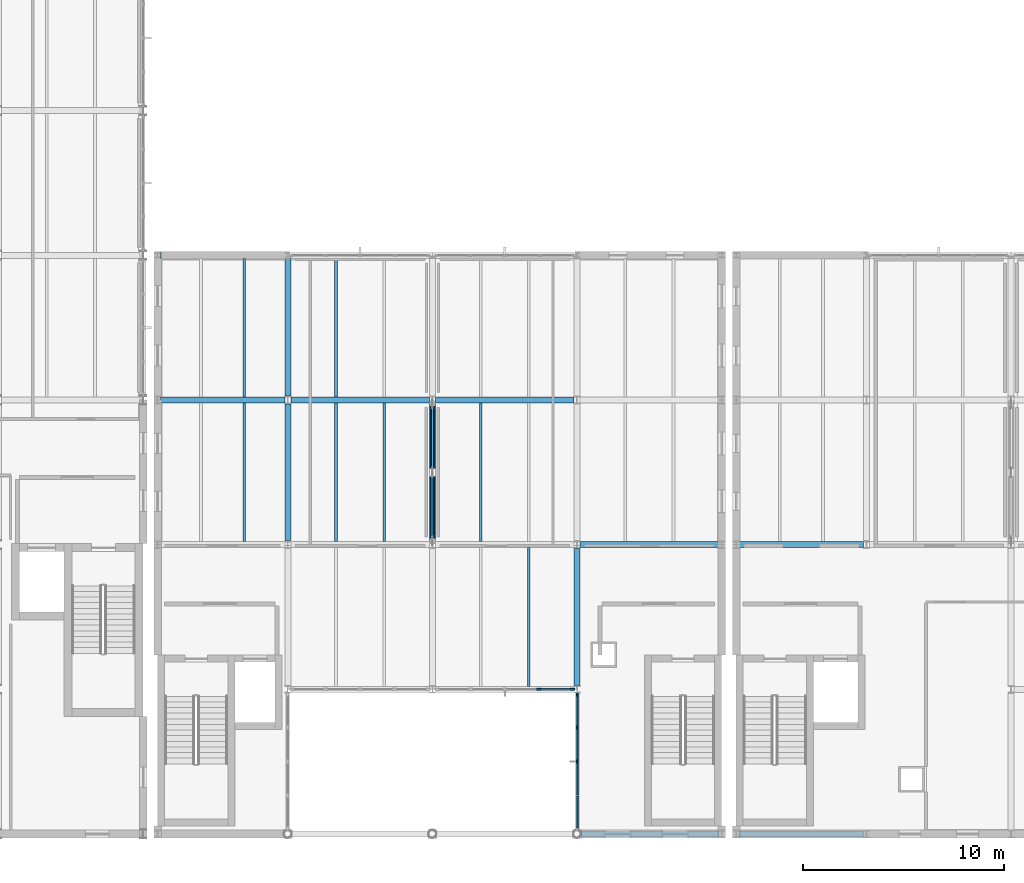
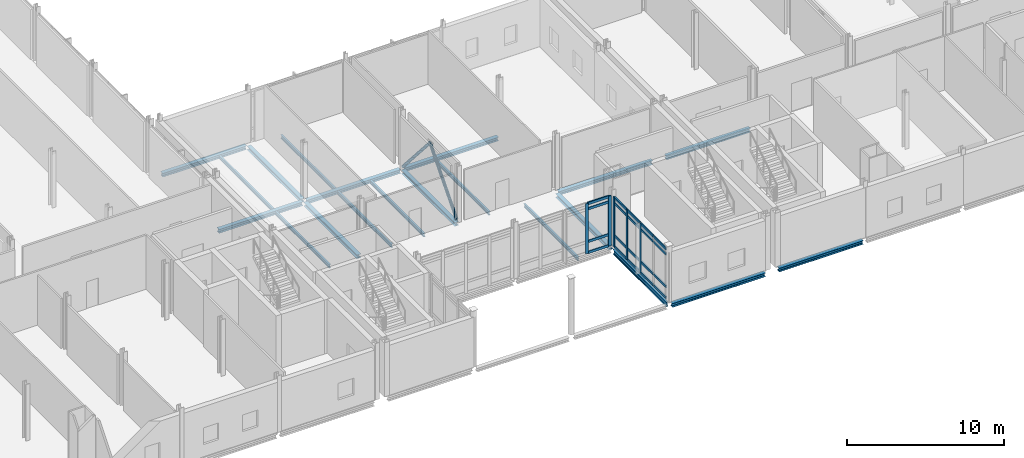
# One storey, part 16 of 72: 27 members, 20 beams, 2 elements without a shape of their own.
"""IFC4 building model written with IfcOpenShell, lengths in metres."""

from ifc_helpers import new_model, si_unit, direction, frame, origin, origin_2d, place, context, subcontext, project, spatial, rectangle, hollow_circle, i_section, extrude, material, layer, layer_set, material_profile, profile_set, type_object, element, aggregate, save


model = new_model("IFC4")

# Units and contexts
model_context = context("Model", 3, precision=1e-05, world=origin(), true_north=direction((0.0, 1.0)))
body_context = subcontext(model_context, "Body", "Model", "MODEL_VIEW")
ifc_project = project(units=[si_unit("LENGTHUNIT", "METRE"), si_unit("AREAUNIT", "SQUARE_METRE"), si_unit("VOLUMEUNIT", "CUBIC_METRE"), si_unit("PLANEANGLEUNIT", "RADIAN"), si_unit("MASSUNIT", "GRAM", prefix="KILO")], contexts=[model_context])

# Site, building, storey
site_placement = place(None, origin())
site = spatial("IfcSite", under=ifc_project, at=site_placement, CompositionType="ELEMENT")
building_placement = place(site_placement, origin())
building = spatial("IfcBuilding", under=site, at=building_placement, Name="Zarrinpeak Specialist Clinic", CompositionType="ELEMENT")
storey_placement = place(building_placement, frame((0.0, 0.0, 9.60009765625)))
storey = spatial("IfcBuildingStorey", under=building, at=storey_placement, Name="L02", CompositionType="ELEMENT", Elevation=9.60009765625)

# Beams
ifc_material_1 = material(Name="Steel S355", Category="steel")
ifc_material_profile_1 = material_profile(ifc_material_1, i_section(OverallWidth=0.300048828125, OverallDepth=0.2900390625, WebThickness=0.008544921875, FlangeThickness=0.013916015625, FilletRadius=0.027099609375, at=origin_2d()), Name="HEA 300")
ifc_profile_set_1 = profile_set([ifc_material_profile_1], Name="Steel S355")
beam_type_1 = type_object("IfcBeamType", Name="BM-HEA300", PredefinedType="BEAM", material=ifc_profile_set_1)
beam_1_placement = place(storey_placement, frame((50.601318359375, 0.0, -0.360107421875), z_axis=(1.0, 0.0, 0.0), x_axis=(0.0, 1.0, 0.0)))
element("IfcBeam", 1, at=beam_1_placement, inside=storey, type_object=beam_type_1, Name="L02 Primary Floor Girder BM-L02-X1115", PredefinedType="BEAM", context=body_context, shape_type="SweptSolid", body=[
    extrude(i_section(OverallWidth=0.300048828125, OverallDepth=0.2900390625, WebThickness=0.008544921875, FlangeThickness=0.013916015625, FilletRadius=0.027099609375, at=origin_2d()), origin(), (0.0, 0.0, 1.0), 6.8505859375),
])
beam_2_placement = place(storey_placement, frame((58.468017578125, 0.0, -0.360107421875), z_axis=(1.0, 0.0, 0.0), x_axis=(0.0, 1.0, 0.0)))
element("IfcBeam", 2, at=beam_2_placement, inside=storey, type_object=beam_type_1, Name="L02 Primary Floor Girder BM-L02-X1116", PredefinedType="BEAM", context=body_context, shape_type="SweptSolid", body=[
    extrude(i_section(OverallWidth=0.300048828125, OverallDepth=0.2900390625, WebThickness=0.008544921875, FlangeThickness=0.013916015625, FilletRadius=0.027099609375, at=origin_2d()), origin(), (0.0, 0.0, 1.0), 6.18408203125),
])
beam_3_placement = place(storey_placement, frame((50.548095703125, 14.39990234375, -0.360107421875), z_axis=(1.0, 0.0, 0.0), x_axis=(0.0, 1.0, 0.0)))
element("IfcBeam", 3, at=beam_3_placement, inside=storey, type_object=beam_type_1, Name="L02 Primary Floor Girder BM-L02-X1130", PredefinedType="BEAM", context=body_context, shape_type="SweptSolid", body=[
    extrude(i_section(OverallWidth=0.300048828125, OverallDepth=0.2900390625, WebThickness=0.008544921875, FlangeThickness=0.013916015625, FilletRadius=0.027099609375, at=origin_2d()), origin(), (0.0, 0.0, 1.0), 6.90380859375),
])
for number, where, z_axis, x_axis, name in (
    (4, (58.468017578125, 14.39990234375, -0.360107421875), (1.0, 0.0, 0.0), (0.0, 1.0, 0.0), "L02 Primary Floor Girder BM-L02-X1131"),
    (5, (29.66796875, 21.60009765625, -0.360107421875), (1.0, 0.0, 0.0), (0.0, 1.0, 0.0), "L02 Primary Floor Girder BM-L02-X1139"),
):
    element("IfcBeam", number, at=place(storey_placement, frame(where, z_axis=z_axis, x_axis=x_axis)), inside=storey, type_object=beam_type_1, Name=name, PredefinedType="BEAM", context=body_context, shape_type="SweptSolid", body=[
        extrude(i_section(OverallWidth=0.300048828125, OverallDepth=0.2900390625, WebThickness=0.008544921875, FlangeThickness=0.013916015625, FilletRadius=0.027099609375, at=origin_2d()), origin(), (0.0, 0.0, 1.0), 6.18408203125),
    ])
for number, where, z_axis, x_axis, name in (
    (6, (36.14794921875, 21.60009765625, -0.360107421875), (1.0, 0.0, 0.0), (0.0, 1.0, 0.0), "L02 Primary Floor Girder BM-L02-X1140"),
    (7, (43.347900390625, 21.60009765625, -0.360107421875), (1.0, 0.0, 0.0), (0.0, 1.0, 0.0), "L02 Primary Floor Girder BM-L02-X1141"),
):
    element("IfcBeam", number, at=place(storey_placement, frame(where, z_axis=z_axis, x_axis=x_axis)), inside=storey, type_object=beam_type_1, Name=name, PredefinedType="BEAM", context=body_context, shape_type="SweptSolid", body=[
        extrude(i_section(OverallWidth=0.300048828125, OverallDepth=0.2900390625, WebThickness=0.008544921875, FlangeThickness=0.013916015625, FilletRadius=0.027099609375, at=origin_2d()), origin(), (0.0, 0.0, 1.0), 6.904052734375),
    ])
beam_4_placement = place(storey_placement, frame((29.66796875, 28.800048828125, -0.360107421875), z_axis=(1.0, 0.0, 0.0), x_axis=(0.0, 1.0, 0.0)))
element("IfcBeam", 8, at=beam_4_placement, inside=storey, type_object=beam_type_1, Name="L02 Primary Floor Girder BM-L02-X1151", PredefinedType="BEAM", context=body_context, shape_type="SweptSolid", body=[
    extrude(i_section(OverallWidth=0.300048828125, OverallDepth=0.2900390625, WebThickness=0.008544921875, FlangeThickness=0.013916015625, FilletRadius=0.027099609375, at=origin_2d()), origin(), (0.0, 0.0, 1.0), 6.18408203125),
])
beam_5_placement = place(storey_placement, frame((36.0, 14.597900390625, -0.360107421875), z_axis=(0.0, 1.0, 0.0), x_axis=(-1.0, 0.0, 0.0)))
element("IfcBeam", 9, at=beam_5_placement, inside=storey, type_object=beam_type_1, Name="L02 Primary Beam BM-L02-Y1277", PredefinedType="BEAM", context=body_context, shape_type="SweptSolid", body=[
    extrude(i_section(OverallWidth=0.300048828125, OverallDepth=0.2900390625, WebThickness=0.008544921875, FlangeThickness=0.013916015625, FilletRadius=0.027099609375, at=origin_2d()), origin(), (0.0, 0.0, 1.0), 6.80419921875),
])
beam_6_placement = place(storey_placement, frame((36.0, 21.798095703125, -0.360107421875), z_axis=(0.0, 1.0, 0.0), x_axis=(-1.0, 0.0, 0.0)))
element("IfcBeam", 10, at=beam_6_placement, inside=storey, type_object=beam_type_1, Name="L02 Primary Beam BM-L02-Y1278", PredefinedType="BEAM", context=body_context, shape_type="SweptSolid", body=[
    extrude(i_section(OverallWidth=0.300048828125, OverallDepth=0.2900390625, WebThickness=0.008544921875, FlangeThickness=0.013916015625, FilletRadius=0.027099609375, at=origin_2d()), origin(), (0.0, 0.0, 1.0), 6.843994140625),
])
beam_7_placement = place(storey_placement, frame((43.199951171875, 14.597900390625, -0.360107421875), z_axis=(0.0, 1.0, 0.0), x_axis=(-1.0, 0.0, 0.0)))
element("IfcBeam", 11, at=beam_7_placement, inside=storey, type_object=beam_type_1, Name="L02 Primary Beam BM-L02-Y1283", PredefinedType="BEAM", context=body_context, shape_type="SweptSolid", body=[
    extrude(i_section(OverallWidth=0.300048828125, OverallDepth=0.2900390625, WebThickness=0.008544921875, FlangeThickness=0.013916015625, FilletRadius=0.027099609375, at=origin_2d()), origin(), (0.0, 0.0, 1.0), 6.80419921875),
])
beam_8_placement = place(storey_placement, frame((50.39990234375, 7.39794921875, -0.360107421875), z_axis=(0.0, 1.0, 0.0), x_axis=(-1.0, 0.0, 0.0)))
element("IfcBeam", 12, at=beam_8_placement, inside=storey, type_object=beam_type_1, Name="L02 Primary Beam BM-L02-Y1291", PredefinedType="BEAM", context=body_context, shape_type="SweptSolid", body=[
    extrude(i_section(OverallWidth=0.300048828125, OverallDepth=0.2900390625, WebThickness=0.008544921875, FlangeThickness=0.013916015625, FilletRadius=0.027099609375, at=origin_2d()), origin(), (0.0, 0.0, 1.0), 6.803955078125),
])
ifc_material_profile_2 = material_profile(ifc_material_1, i_section(OverallWidth=0.135009765625, OverallDepth=0.27001953125, WebThickness=0.006591796875, FlangeThickness=0.01025390625, FilletRadius=0.014892578125, at=origin_2d()), Name="IPE 270")
ifc_profile_set_2 = profile_set([ifc_material_profile_2], Name="Steel S355")
beam_type_2 = type_object("IfcBeamType", Name="BM-JST270", PredefinedType="JOIST", material=ifc_profile_set_2)
beam_9_placement = place(storey_placement, frame((33.840087890625, 14.548095703125, -0.35009765625), z_axis=(0.0, 1.0, 0.0), x_axis=(-1.0, 0.0, 0.0)))
element("IfcBeam", 13, at=beam_9_placement, inside=storey, type_object=beam_type_2, Name="L02 Composite Floor Joist JST-L02-1376", PredefinedType="JOIST", context=body_context, shape_type="SweptSolid", body=[
    extrude(i_section(OverallWidth=0.135009765625, OverallDepth=0.27001953125, WebThickness=0.006591796875, FlangeThickness=0.01025390625, FilletRadius=0.014892578125, at=origin_2d()), origin(), (0.0, 0.0, 1.0), 6.90380859375),
])
beam_10_placement = place(storey_placement, frame((33.840087890625, 21.748046875, -0.35009765625), z_axis=(0.0, 1.0, 0.0), x_axis=(-1.0, 0.0, 0.0)))
element("IfcBeam", 14, at=beam_10_placement, inside=storey, type_object=beam_type_2, Name="L02 Composite Floor Joist JST-L02-1378", PredefinedType="JOIST", context=body_context, shape_type="SweptSolid", body=[
    extrude(i_section(OverallWidth=0.135009765625, OverallDepth=0.27001953125, WebThickness=0.006591796875, FlangeThickness=0.01025390625, FilletRadius=0.014892578125, at=origin_2d()), origin(), (0.0, 0.0, 1.0), 6.904052734375),
])
for number, where, z_axis, x_axis, name in (
    (15, (38.39990234375, 14.548095703125, -0.35009765625), (0.0, 1.0, 0.0), (-1.0, 0.0, 0.0), "L02 Composite Floor Joist JST-L02-1381"),
    (16, (40.800048828125, 14.548095703125, -0.35009765625), (0.0, 1.0, 0.0), (-1.0, 0.0, 0.0), "L02 Composite Floor Joist JST-L02-1382"),
):
    element("IfcBeam", number, at=place(storey_placement, frame(where, z_axis=z_axis, x_axis=x_axis)), inside=storey, type_object=beam_type_2, Name=name, PredefinedType="JOIST", context=body_context, shape_type="SweptSolid", body=[
        extrude(i_section(OverallWidth=0.135009765625, OverallDepth=0.27001953125, WebThickness=0.006591796875, FlangeThickness=0.01025390625, FilletRadius=0.014892578125, at=origin_2d()), origin(), (0.0, 0.0, 1.0), 6.90380859375),
    ])
for number, where, z_axis, x_axis, name in (
    (17, (38.39990234375, 21.748046875, -0.35009765625), (0.0, 1.0, 0.0), (-1.0, 0.0, 0.0), "L02 Composite Floor Joist JST-L02-1383"),
    (18, (48.0, 7.347900390625, -0.35009765625), (0.0, 1.0, 0.0), (-1.0, 0.0, 0.0), "L02 Composite Floor Joist JST-L02-1386"),
):
    element("IfcBeam", number, at=place(storey_placement, frame(where, z_axis=z_axis, x_axis=x_axis)), inside=storey, type_object=beam_type_2, Name=name, PredefinedType="JOIST", context=body_context, shape_type="SweptSolid", body=[
        extrude(i_section(OverallWidth=0.135009765625, OverallDepth=0.27001953125, WebThickness=0.006591796875, FlangeThickness=0.01025390625, FilletRadius=0.014892578125, at=origin_2d()), origin(), (0.0, 0.0, 1.0), 6.904052734375),
    ])
beam_11_placement = place(storey_placement, frame((45.60009765625, 14.548095703125, -0.35009765625), z_axis=(0.0, 1.0, 0.0), x_axis=(-1.0, 0.0, 0.0)))
element("IfcBeam", 19, at=beam_11_placement, inside=storey, type_object=beam_type_2, Name="L02 Composite Floor Joist JST-L02-1387", PredefinedType="JOIST", context=body_context, shape_type="SweptSolid", body=[
    extrude(i_section(OverallWidth=0.135009765625, OverallDepth=0.27001953125, WebThickness=0.006591796875, FlangeThickness=0.01025390625, FilletRadius=0.014892578125, at=origin_2d()), origin(), (0.0, 0.0, 1.0), 6.90380859375),
])
ifc_material_profile_3 = material_profile(ifc_material_1, i_section(OverallWidth=0.169921875, OverallDepth=0.360107421875, WebThickness=0.008056640625, FlangeThickness=0.0126953125, FilletRadius=0.01806640625, at=origin_2d()), Name="IPE 360")
ifc_profile_set_3 = profile_set([ifc_material_profile_3], Name="Steel S355")
beam_type_3 = type_object("IfcBeamType", Name="BM-SP360", PredefinedType="SPANDREL", material=ifc_profile_set_3)
beam_12_placement = place(storey_placement, frame((50.39990234375, 0.201171875, -0.39501953125), z_axis=(0.0, 1.0, 0.0), x_axis=(-1.0, 0.0, 0.0)))
element("IfcBeam", 20, at=beam_12_placement, inside=storey, type_object=beam_type_3, Name="L02 Perimeter Spandrel Beam BM-L02-Y1290", PredefinedType="SPANDREL", context=body_context, shape_type="SweptSolid", body=[
    extrude(i_section(OverallWidth=0.169921875, OverallDepth=0.360107421875, WebThickness=0.008056640625, FlangeThickness=0.0126953125, FilletRadius=0.01806640625, at=origin_2d()), origin(), (0.0, 0.0, 1.0), 6.80078125),
])

# Curtain wall, members
ifc_material_2 = material(Name="Anodised Aluminium Alloy 6063-T6", Category="aluminium")
ifc_layer = layer(ifc_material_2, 0.18994140625)
ifc_layer_set = layer_set([ifc_layer], Name="Anodised Aluminium Alloy 6063-T6")
curtain_wall_type = type_object("IfcCurtainWallType", Name="CW-LOGGIA", PredefinedType="NOTDEFINED", material=ifc_layer_set)
curtain_wall_1_placement = place(storey_placement, origin())
curtain_wall_1 = element("IfcCurtainWall", 21, at=curtain_wall_1_placement, inside=storey, type_object=curtain_wall_type, Name="L02 V2 Unitised Curtain Wall CW-L02-V2-052", PredefinedType="NOTDEFINED")
ifc_material_profile_4 = material_profile(ifc_material_2, rectangle(XDim=0.090087890625, YDim=0.219970703125, at=origin_2d()), Name="ALU 90x220")
ifc_profile_set_4 = profile_set([ifc_material_profile_4], Name="Anodised Aluminium Alloy 6063-T6")
member_type_1 = type_object("IfcMemberType", Name="CWM-90", PredefinedType="MULLION", material=ifc_profile_set_4)
member_1_placement = place(storey_placement, frame((48.512451171875, 7.199951171875, 0.0), z_axis=(0.0, 0.0, 1.0), x_axis=(0.0, 1.0, 0.0)))
member_1 = element("IfcMember", 22, at=member_1_placement, type_object=member_type_1, Name="CW-04 mullion 4", PredefinedType="MULLION", context=body_context, shape_type="SweptSolid", body=[
    extrude(rectangle(XDim=0.090087890625, YDim=0.219970703125, at=origin_2d()), origin(), (0.0, 0.0, 1.0), 3.89501953125),
])
member_2_placement = place(storey_placement, frame((50.179931640625, 7.199951171875, 0.0), z_axis=(0.0, 0.0, 1.0), x_axis=(0.0, 1.0, 0.0)))
member_2 = element("IfcMember", 23, at=member_2_placement, type_object=member_type_1, Name="CW-04 mullion 5", PredefinedType="MULLION", context=body_context, shape_type="SweptSolid", body=[
    extrude(rectangle(XDim=0.090087890625, YDim=0.219970703125, at=origin_2d()), origin(), (0.0, 0.0, 1.0), 3.89501953125),
])

curtain_wall_2_placement = place(storey_placement, origin())
curtain_wall_2 = element("IfcCurtainWall", 24, at=curtain_wall_2_placement, inside=storey, type_object=curtain_wall_type, Name="L02 V2 Unitised Curtain Wall CW-L02-V2-054", PredefinedType="NOTDEFINED")
member_3_placement = place(storey_placement, frame((50.39990234375, 6.949951171875, 0.0), z_axis=(0.0, 0.0, 1.0), x_axis=(1.0, 0.0, 0.0)))
member_3 = element("IfcMember", 25, at=member_3_placement, type_object=member_type_1, Name="CW-04 mullion 1", PredefinedType="MULLION", context=body_context, shape_type="SweptSolid", body=[
    extrude(rectangle(XDim=0.090087890625, YDim=0.219970703125, at=origin_2d()), origin(), (0.0, 0.0, 1.0), 3.885009765625),
])
member_4_placement = place(storey_placement, frame((50.39990234375, 5.30322265625, 0.0), z_axis=(0.0, 0.0, 1.0), x_axis=(1.0, 0.0, 0.0)))
member_4 = element("IfcMember", 26, at=member_4_placement, type_object=member_type_1, Name="CW-04 mullion 2", PredefinedType="MULLION", context=body_context, shape_type="SweptSolid", body=[
    extrude(rectangle(XDim=0.090087890625, YDim=0.219970703125, at=origin_2d()), origin(), (0.0, 0.0, 1.0), 3.885009765625),
])
member_5_placement = place(storey_placement, frame((50.39990234375, 3.611572265625, 0.0), z_axis=(0.0, 0.0, 1.0), x_axis=(1.0, 0.0, 0.0)))
member_5 = element("IfcMember", 27, at=member_5_placement, type_object=member_type_1, Name="CW-04 mullion 3", PredefinedType="MULLION", context=body_context, shape_type="SweptSolid", body=[
    extrude(rectangle(XDim=0.090087890625, YDim=0.219970703125, at=origin_2d()), origin(), (0.0, 0.0, 1.0), 3.885009765625),
])

# Member
ifc_material_profile_5 = material_profile(ifc_material_2, rectangle(XDim=0.090087890625, YDim=0.18994140625, at=origin_2d()), Name="ALU 90x190")
ifc_profile_set_5 = profile_set([ifc_material_profile_5], Name="Anodised Aluminium Alloy 6063-T6")
member_type_2 = type_object("IfcMemberType", Name="CWT-90", PredefinedType="USERDEFINED", material=ifc_profile_set_5)
member_6_placement = place(storey_placement, frame((48.5576171875, 7.199951171875, 0.044921875), z_axis=(1.0, 0.0, 0.0), x_axis=(0.0, 1.0, 0.0)))
member_6 = element("IfcMember", 28, at=member_6_placement, type_object=member_type_2, Name="CW-04 transom 4.1", ObjectType="TRANSOM", PredefinedType="USERDEFINED", context=body_context, shape_type="SweptSolid", body=[
    extrude(rectangle(XDim=0.090087890625, YDim=0.18994140625, at=origin_2d()), origin(), (0.0, 0.0, 1.0), 1.577392578125),
])

member_7_placement = place(storey_placement, frame((48.5576171875, 7.199951171875, 0.89990234375), z_axis=(1.0, 0.0, 0.0), x_axis=(0.0, 1.0, 0.0)))
member_7 = element("IfcMember", 29, at=member_7_placement, type_object=member_type_2, Name="CW-04 transom 4.2", ObjectType="TRANSOM", PredefinedType="USERDEFINED", context=body_context, shape_type="SweptSolid", body=[
    extrude(rectangle(XDim=0.090087890625, YDim=0.18994140625, at=origin_2d()), origin(), (0.0, 0.0, 1.0), 1.577392578125),
])

member_8_placement = place(storey_placement, frame((48.5576171875, 7.199951171875, 3.44482421875), z_axis=(1.0, 0.0, 0.0), x_axis=(0.0, 1.0, 0.0)))
member_8 = element("IfcMember", 30, at=member_8_placement, type_object=member_type_2, Name="CW-04 transom 4.3", ObjectType="TRANSOM", PredefinedType="USERDEFINED", context=body_context, shape_type="SweptSolid", body=[
    extrude(rectangle(XDim=0.090087890625, YDim=0.18994140625, at=origin_2d()), origin(), (0.0, 0.0, 1.0), 1.577392578125),
])

member_9_placement = place(storey_placement, frame((48.5576171875, 7.199951171875, 3.849853515625), z_axis=(1.0, 0.0, 0.0), x_axis=(0.0, 1.0, 0.0)))
member_9 = element("IfcMember", 31, at=member_9_placement, type_object=member_type_2, Name="CW-04 transom 4.4", ObjectType="TRANSOM", PredefinedType="USERDEFINED", context=body_context, shape_type="SweptSolid", body=[
    extrude(rectangle(XDim=0.090087890625, YDim=0.18994140625, at=origin_2d()), origin(), (0.0, 0.0, 1.0), 1.577392578125),
])

aggregate(curtain_wall_1, [member_1, member_2, member_6, member_7, member_8, member_9])

member_10_placement = place(storey_placement, frame((50.39990234375, 6.905029296875, 0.044921875), z_axis=(0.0, -1.0, 0.0), x_axis=(1.0, 0.0, 0.0)))
member_10 = element("IfcMember", 32, at=member_10_placement, type_object=member_type_2, Name="CW-04 transom 1.1", ObjectType="TRANSOM", PredefinedType="USERDEFINED", context=body_context, shape_type="SweptSolid", body=[
    extrude(rectangle(XDim=0.090087890625, YDim=0.18994140625, at=origin_2d()), origin(), (0.0, 0.0, 1.0), 1.556640625),
])

member_11_placement = place(storey_placement, frame((50.39990234375, 6.905029296875, 0.89990234375), z_axis=(0.0, -1.0, 0.0), x_axis=(1.0, 0.0, 0.0)))
member_11 = element("IfcMember", 33, at=member_11_placement, type_object=member_type_2, Name="CW-04 transom 1.2", ObjectType="TRANSOM", PredefinedType="USERDEFINED", context=body_context, shape_type="SweptSolid", body=[
    extrude(rectangle(XDim=0.090087890625, YDim=0.18994140625, at=origin_2d()), origin(), (0.0, 0.0, 1.0), 1.556640625),
])

member_12_placement = place(storey_placement, frame((50.39990234375, 6.905029296875, 3.434814453125), z_axis=(0.0, -1.0, 0.0), x_axis=(1.0, 0.0, 0.0)))
member_12 = element("IfcMember", 34, at=member_12_placement, type_object=member_type_2, Name="CW-04 transom 1.3", ObjectType="TRANSOM", PredefinedType="USERDEFINED", context=body_context, shape_type="SweptSolid", body=[
    extrude(rectangle(XDim=0.090087890625, YDim=0.18994140625, at=origin_2d()), origin(), (0.0, 0.0, 1.0), 1.556640625),
])

member_13_placement = place(storey_placement, frame((50.39990234375, 6.905029296875, 3.83984375), z_axis=(0.0, -1.0, 0.0), x_axis=(1.0, 0.0, 0.0)))
member_13 = element("IfcMember", 35, at=member_13_placement, type_object=member_type_2, Name="CW-04 transom 1.4", ObjectType="TRANSOM", PredefinedType="USERDEFINED", context=body_context, shape_type="SweptSolid", body=[
    extrude(rectangle(XDim=0.090087890625, YDim=0.18994140625, at=origin_2d()), origin(), (0.0, 0.0, 1.0), 1.556640625),
])

member_14_placement = place(storey_placement, frame((50.39990234375, 5.25830078125, 0.044921875), z_axis=(0.0, -1.0, 0.0), x_axis=(1.0, 0.0, 0.0)))
member_14 = element("IfcMember", 36, at=member_14_placement, type_object=member_type_2, Name="CW-04 transom 2.1", ObjectType="TRANSOM", PredefinedType="USERDEFINED", context=body_context, shape_type="SweptSolid", body=[
    extrude(rectangle(XDim=0.090087890625, YDim=0.18994140625, at=origin_2d()), origin(), (0.0, 0.0, 1.0), 1.601806640625),
])

member_15_placement = place(storey_placement, frame((50.39990234375, 5.25830078125, 0.89990234375), z_axis=(0.0, -1.0, 0.0), x_axis=(1.0, 0.0, 0.0)))
member_15 = element("IfcMember", 37, at=member_15_placement, type_object=member_type_2, Name="CW-04 transom 2.2", ObjectType="TRANSOM", PredefinedType="USERDEFINED", context=body_context, shape_type="SweptSolid", body=[
    extrude(rectangle(XDim=0.090087890625, YDim=0.18994140625, at=origin_2d()), origin(), (0.0, 0.0, 1.0), 1.601806640625),
])

member_16_placement = place(storey_placement, frame((50.39990234375, 5.25830078125, 3.434814453125), z_axis=(0.0, -1.0, 0.0), x_axis=(1.0, 0.0, 0.0)))
member_16 = element("IfcMember", 38, at=member_16_placement, type_object=member_type_2, Name="CW-04 transom 2.3", ObjectType="TRANSOM", PredefinedType="USERDEFINED", context=body_context, shape_type="SweptSolid", body=[
    extrude(rectangle(XDim=0.090087890625, YDim=0.18994140625, at=origin_2d()), origin(), (0.0, 0.0, 1.0), 1.601806640625),
])

member_17_placement = place(storey_placement, frame((50.39990234375, 5.25830078125, 3.83984375), z_axis=(0.0, -1.0, 0.0), x_axis=(1.0, 0.0, 0.0)))
member_17 = element("IfcMember", 39, at=member_17_placement, type_object=member_type_2, Name="CW-04 transom 2.4", ObjectType="TRANSOM", PredefinedType="USERDEFINED", context=body_context, shape_type="SweptSolid", body=[
    extrude(rectangle(XDim=0.090087890625, YDim=0.18994140625, at=origin_2d()), origin(), (0.0, 0.0, 1.0), 1.601806640625),
])

member_18_placement = place(storey_placement, frame((50.39990234375, 3.566650390625, 0.044921875), z_axis=(0.0, -1.0, 0.0), x_axis=(1.0, 0.0, 0.0)))
member_18 = element("IfcMember", 40, at=member_18_placement, type_object=member_type_2, Name="CW-04 transom 3.1", ObjectType="TRANSOM", PredefinedType="USERDEFINED", context=body_context, shape_type="SweptSolid", body=[
    extrude(rectangle(XDim=0.090087890625, YDim=0.18994140625, at=origin_2d()), origin(), (0.0, 0.0, 1.0), 1.601806640625),
])

member_19_placement = place(storey_placement, frame((50.39990234375, 3.566650390625, 0.89990234375), z_axis=(0.0, -1.0, 0.0), x_axis=(1.0, 0.0, 0.0)))
member_19 = element("IfcMember", 41, at=member_19_placement, type_object=member_type_2, Name="CW-04 transom 3.2", ObjectType="TRANSOM", PredefinedType="USERDEFINED", context=body_context, shape_type="SweptSolid", body=[
    extrude(rectangle(XDim=0.090087890625, YDim=0.18994140625, at=origin_2d()), origin(), (0.0, 0.0, 1.0), 1.601806640625),
])

member_20_placement = place(storey_placement, frame((50.39990234375, 3.566650390625, 3.434814453125), z_axis=(0.0, -1.0, 0.0), x_axis=(1.0, 0.0, 0.0)))
member_20 = element("IfcMember", 42, at=member_20_placement, type_object=member_type_2, Name="CW-04 transom 3.3", ObjectType="TRANSOM", PredefinedType="USERDEFINED", context=body_context, shape_type="SweptSolid", body=[
    extrude(rectangle(XDim=0.090087890625, YDim=0.18994140625, at=origin_2d()), origin(), (0.0, 0.0, 1.0), 1.601806640625),
])

member_21_placement = place(storey_placement, frame((50.39990234375, 3.566650390625, 3.83984375), z_axis=(0.0, -1.0, 0.0), x_axis=(1.0, 0.0, 0.0)))
member_21 = element("IfcMember", 43, at=member_21_placement, type_object=member_type_2, Name="CW-04 transom 3.4", ObjectType="TRANSOM", PredefinedType="USERDEFINED", context=body_context, shape_type="SweptSolid", body=[
    extrude(rectangle(XDim=0.090087890625, YDim=0.18994140625, at=origin_2d()), origin(), (0.0, 0.0, 1.0), 1.601806640625),
])

member_22_placement = place(storey_placement, frame((50.39990234375, 1.875, 0.044921875), z_axis=(0.0, -1.0, 0.0), x_axis=(1.0, 0.0, 0.0)))
member_22 = element("IfcMember", 44, at=member_22_placement, type_object=member_type_2, Name="CW-04 transom 4.1", ObjectType="TRANSOM", PredefinedType="USERDEFINED", context=body_context, shape_type="SweptSolid", body=[
    extrude(rectangle(XDim=0.090087890625, YDim=0.18994140625, at=origin_2d()), origin(), (0.0, 0.0, 1.0), 1.556884765625),
])

member_23_placement = place(storey_placement, frame((50.39990234375, 1.875, 0.89990234375), z_axis=(0.0, -1.0, 0.0), x_axis=(1.0, 0.0, 0.0)))
member_23 = element("IfcMember", 45, at=member_23_placement, type_object=member_type_2, Name="CW-04 transom 4.2", ObjectType="TRANSOM", PredefinedType="USERDEFINED", context=body_context, shape_type="SweptSolid", body=[
    extrude(rectangle(XDim=0.090087890625, YDim=0.18994140625, at=origin_2d()), origin(), (0.0, 0.0, 1.0), 1.556884765625),
])

member_24_placement = place(storey_placement, frame((50.39990234375, 1.875, 3.434814453125), z_axis=(0.0, -1.0, 0.0), x_axis=(1.0, 0.0, 0.0)))
member_24 = element("IfcMember", 46, at=member_24_placement, type_object=member_type_2, Name="CW-04 transom 4.3", ObjectType="TRANSOM", PredefinedType="USERDEFINED", context=body_context, shape_type="SweptSolid", body=[
    extrude(rectangle(XDim=0.090087890625, YDim=0.18994140625, at=origin_2d()), origin(), (0.0, 0.0, 1.0), 1.556884765625),
])

member_25_placement = place(storey_placement, frame((50.39990234375, 1.875, 3.83984375), z_axis=(0.0, -1.0, 0.0), x_axis=(1.0, 0.0, 0.0)))
member_25 = element("IfcMember", 47, at=member_25_placement, type_object=member_type_2, Name="CW-04 transom 4.4", ObjectType="TRANSOM", PredefinedType="USERDEFINED", context=body_context, shape_type="SweptSolid", body=[
    extrude(rectangle(XDim=0.090087890625, YDim=0.18994140625, at=origin_2d()), origin(), (0.0, 0.0, 1.0), 1.556884765625),
])

aggregate(curtain_wall_2, [member_3, member_4, member_5, member_10, member_11, member_12, member_13, member_14, member_15, member_16, member_17, member_18, member_19, member_20, member_21, member_22, member_23, member_24, member_25])

# Members
ifc_material_profile_6 = material_profile(ifc_material_1, hollow_circle(Radius=0.109619140625, WallThickness=0.010009765625, at=origin_2d()), Name="CHS 219.1x10.0")
ifc_profile_set_6 = profile_set([ifc_material_profile_6], Name="Steel S355")
member_type_3 = type_object("IfcMemberType", Name="MB-BR219", PredefinedType="BRACE", material=ifc_profile_set_6)
for number, where, z_axis, x_axis, name in (
    (48, (43.199951171875, 14.580078125, 0.0048828125), (0.0, 0.65883418988, 0.752288182976), (-1.0, 0.0, 0.0), "V2 L02 Seismic Concentric Brace CBF-019"),
    (49, (43.199951171875, 21.419921875, 0.0048828125), (0.0, -0.65883418988, 0.752288182976), (1.0, 0.0, 0.0), "V2 L02 Seismic Concentric Brace CBF-020"),
):
    element("IfcMember", number, at=place(storey_placement, frame(where, z_axis=z_axis, x_axis=x_axis)), inside=storey, type_object=member_type_3, Name=name, PredefinedType="BRACE", context=body_context, shape_type="SweptSolid", body=[
        extrude(hollow_circle(Radius=0.109619140625, WallThickness=0.010009765625, at=origin_2d()), origin(), (0.0, 0.0, 1.0), 5.19091796875),
    ])

save(model, "model.ifc")
